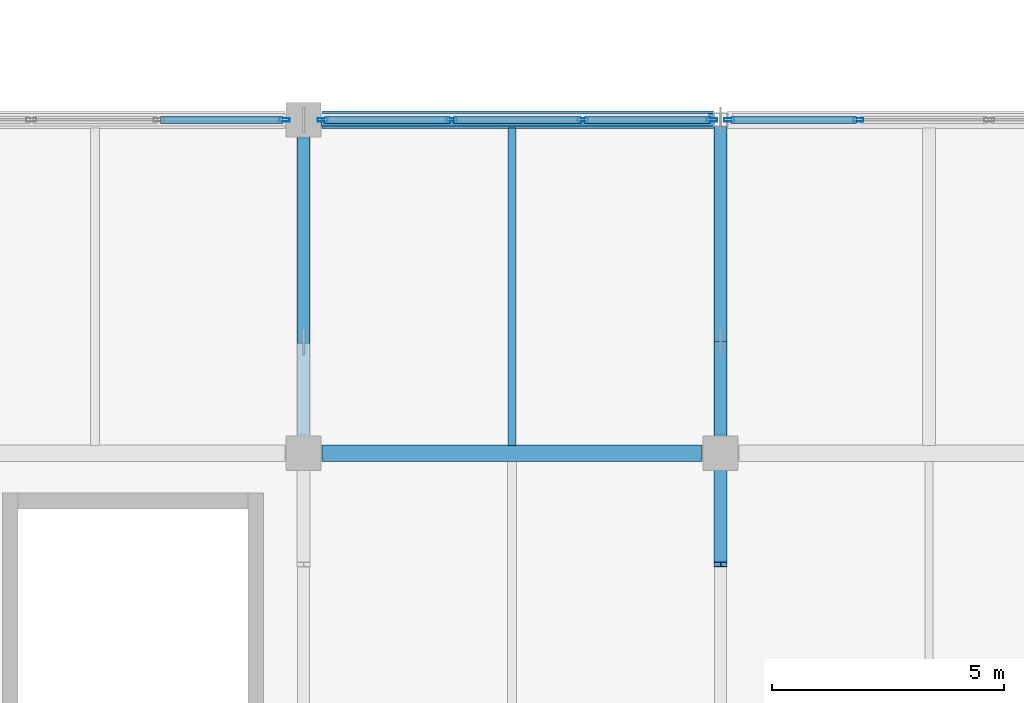
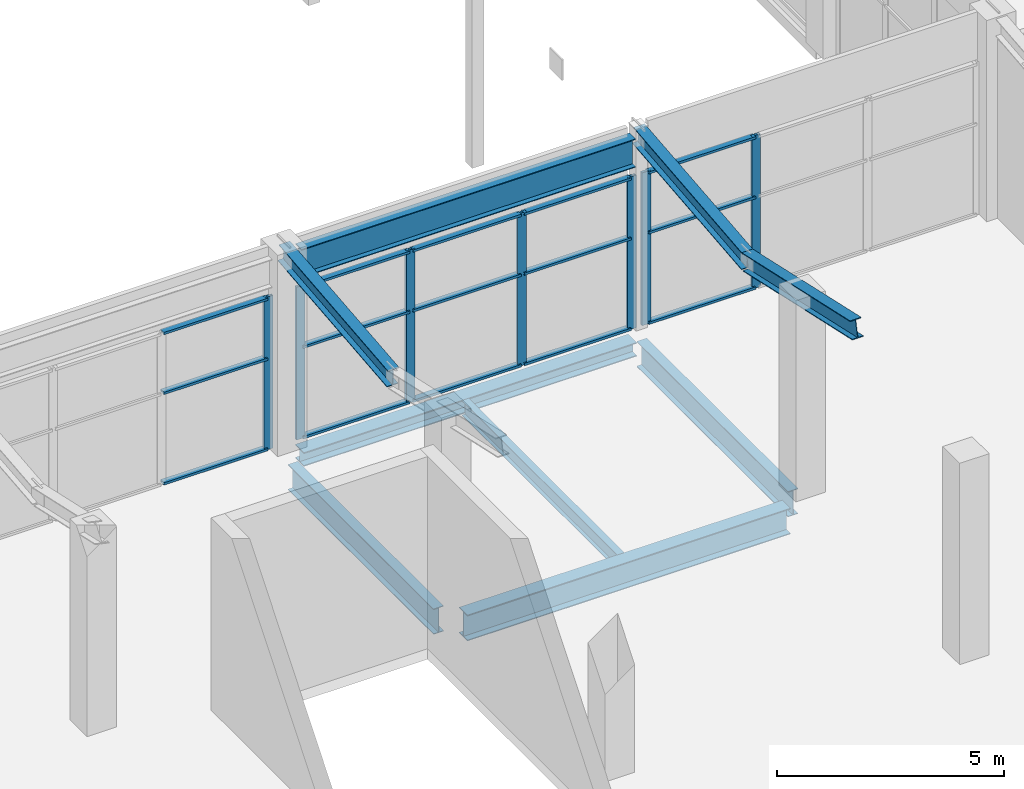
# One storey, part 88 of 189: 25 members, 6 beams, 3 elements without a shape of their own.
"""IFC4 building model written with IfcOpenShell, lengths in metres."""

from ifc_helpers import new_model, si_unit, direction, frame, origin, origin_2d, place, context, subcontext, project, spatial, hollow_rectangle, i_section, extrude, material, layer, layer_set, material_profile, profile_set, type_object, element, aggregate, save


model = new_model("IFC4")

# Units and contexts
model_context = context("Model", 3, precision=1e-05, world=origin(), true_north=direction((0.0, 1.0)))
body_context = subcontext(model_context, "Body", "Model", "MODEL_VIEW")
ifc_project = project(units=[si_unit("LENGTHUNIT", "METRE"), si_unit("AREAUNIT", "SQUARE_METRE"), si_unit("VOLUMEUNIT", "CUBIC_METRE"), si_unit("PLANEANGLEUNIT", "RADIAN"), si_unit("MASSUNIT", "GRAM", prefix="KILO")], contexts=[model_context])

# Site, building, storey
site_placement = place(None, origin())
site = spatial("IfcSite", under=ifc_project, at=site_placement, CompositionType="ELEMENT")
building_placement = place(site_placement, origin())
building = spatial("IfcBuilding", under=site, at=building_placement, Name="Celestram Park Convention Centre", CompositionType="ELEMENT")
storey_placement = place(building_placement, frame((0.0, 0.0, 5.39990234375)))
storey = spatial("IfcBuildingStorey", under=building, at=storey_placement, Name="L01", CompositionType="ELEMENT", Elevation=5.39990234375)

# Curtain wall, member
ifc_material_1 = material(Name="Anodised Aluminium Alloy 6063-T6", Category="aluminium")
ifc_layer_1 = layer(ifc_material_1, 0.179931640625)
ifc_layer_set_1 = layer_set([ifc_layer_1], Name="Anodised Aluminium Alloy 6063-T6")
curtain_wall_type_1 = type_object("IfcCurtainWallType", Name="ARC-CW-825X410", PredefinedType="NOTDEFINED", material=ifc_layer_set_1)
curtain_wall_1_placement = place(storey_placement, origin())
curtain_wall_1 = element("IfcCurtainWall", 1, at=curtain_wall_1_placement, inside=storey, type_object=curtain_wall_type_1, Name="Unitised curtain wall CU-L01-048", PredefinedType="NOTDEFINED")
ifc_material_profile_1 = material_profile(ifc_material_1, hollow_rectangle(XDim=0.074951171875, YDim=0.219970703125, WallThickness=0.00390625, at=origin_2d()), Name="ALU75X220X4")
ifc_profile_set_1 = profile_set([ifc_material_profile_1], Name="Anodised Aluminium Alloy 6063-T6")
member_type_1 = type_object("IfcMemberType", Name="ARC-CWM-180", PredefinedType="MULLION", material=ifc_profile_set_1)
member_1_placement = place(storey_placement, frame((17.589599609375, 136.800048828125, 0.0), z_axis=(0.0, 0.0, 1.0), x_axis=(0.0, 1.0, 0.0)))
member_1 = element("IfcMember", 2, at=member_1_placement, type_object=member_type_1, Name="CW-82X41 mullion 4", PredefinedType="MULLION", context=body_context, shape_type="SweptSolid", body=[
    extrude(hollow_rectangle(XDim=0.074951171875, YDim=0.219970703125, WallThickness=0.00390625, at=origin_2d()), origin(), (0.0, 0.0, 1.0), 4.10009765625),
])

# Curtain wall, members
ifc_layer_2 = layer(ifc_material_1, 0.179931640625)
ifc_layer_set_2 = layer_set([ifc_layer_2], Name="Anodised Aluminium Alloy 6063-T6")
curtain_wall_type_2 = type_object("IfcCurtainWallType", Name="ARC-CW-848X410", PredefinedType="NOTDEFINED", material=ifc_layer_set_2)
curtain_wall_2_placement = place(storey_placement, origin())
curtain_wall_2 = element("IfcCurtainWall", 3, at=curtain_wall_2_placement, inside=storey, type_object=curtain_wall_type_2, Name="Unitised curtain wall CU-L01-049", PredefinedType="NOTDEFINED")
member_2_placement = place(storey_placement, frame((18.410400390625, 136.800048828125, 0.0), z_axis=(0.0, 0.0, 1.0), x_axis=(0.0, 1.0, 0.0)))
member_2 = element("IfcMember", 4, at=member_2_placement, type_object=member_type_1, Name="CW-84X41 mullion 1", PredefinedType="MULLION", context=body_context, shape_type="SweptSolid", body=[
    extrude(hollow_rectangle(XDim=0.074951171875, YDim=0.219970703125, WallThickness=0.00390625, at=origin_2d()), origin(), (0.0, 0.0, 1.0), 4.10009765625),
])
member_3_placement = place(storey_placement, frame((21.19921875, 136.800048828125, 0.0), z_axis=(0.0, 0.0, 1.0), x_axis=(0.0, 1.0, 0.0)))
member_3 = element("IfcMember", 5, at=member_3_placement, type_object=member_type_1, Name="CW-84X41 mullion 2", PredefinedType="MULLION", context=body_context, shape_type="SweptSolid", body=[
    extrude(hollow_rectangle(XDim=0.074951171875, YDim=0.219970703125, WallThickness=0.00390625, at=origin_2d()), origin(), (0.0, 0.0, 1.0), 4.10009765625),
])
member_4_placement = place(storey_placement, frame((24.025634765625, 136.800048828125, 0.0), z_axis=(0.0, 0.0, 1.0), x_axis=(0.0, 1.0, 0.0)))
member_4 = element("IfcMember", 6, at=member_4_placement, type_object=member_type_1, Name="CW-84X41 mullion 3", PredefinedType="MULLION", context=body_context, shape_type="SweptSolid", body=[
    extrude(hollow_rectangle(XDim=0.074951171875, YDim=0.219970703125, WallThickness=0.00390625, at=origin_2d()), origin(), (0.0, 0.0, 1.0), 4.10009765625),
])
member_5_placement = place(storey_placement, frame((26.814453125, 136.800048828125, 0.0), z_axis=(0.0, 0.0, 1.0), x_axis=(0.0, 1.0, 0.0)))
member_5 = element("IfcMember", 7, at=member_5_placement, type_object=member_type_1, Name="CW-84X41 mullion 4", PredefinedType="MULLION", context=body_context, shape_type="SweptSolid", body=[
    extrude(hollow_rectangle(XDim=0.074951171875, YDim=0.219970703125, WallThickness=0.00390625, at=origin_2d()), origin(), (0.0, 0.0, 1.0), 4.10009765625),
])

curtain_wall_3_placement = place(storey_placement, origin())
curtain_wall_3 = element("IfcCurtainWall", 8, at=curtain_wall_3_placement, inside=storey, type_object=curtain_wall_type_2, Name="Unitised curtain wall CU-L01-050", PredefinedType="NOTDEFINED")
member_6_placement = place(storey_placement, frame((27.185546875, 136.800048828125, 0.0), z_axis=(0.0, 0.0, 1.0), x_axis=(0.0, 1.0, 0.0)))
member_6 = element("IfcMember", 9, at=member_6_placement, type_object=member_type_1, Name="CW-84X41 mullion 1", PredefinedType="MULLION", context=body_context, shape_type="SweptSolid", body=[
    extrude(hollow_rectangle(XDim=0.074951171875, YDim=0.219970703125, WallThickness=0.00390625, at=origin_2d()), origin(), (0.0, 0.0, 1.0), 4.10009765625),
])
member_7_placement = place(storey_placement, frame((29.974365234375, 136.800048828125, 0.0), z_axis=(0.0, 0.0, 1.0), x_axis=(0.0, 1.0, 0.0)))
member_7 = element("IfcMember", 10, at=member_7_placement, type_object=member_type_1, Name="CW-84X41 mullion 2", PredefinedType="MULLION", context=body_context, shape_type="SweptSolid", body=[
    extrude(hollow_rectangle(XDim=0.074951171875, YDim=0.219970703125, WallThickness=0.00390625, at=origin_2d()), origin(), (0.0, 0.0, 1.0), 4.10009765625),
])

# Member
ifc_material_profile_2 = material_profile(ifc_material_1, hollow_rectangle(XDim=0.14990234375, YDim=0.06494140625, WallThickness=0.0029296875, at=origin_2d()), Name="ALU150X65X3")
ifc_profile_set_2 = profile_set([ifc_material_profile_2], Name="Anodised Aluminium Alloy 6063-T6")
member_type_2 = type_object("IfcMemberType", Name="ARC-CWT-150", PredefinedType="USERDEFINED", material=ifc_profile_set_2)
member_8_placement = place(storey_placement, frame((14.9130859375, 136.800048828125, 0.03271484375), z_axis=(1.0, 0.0, 0.0), x_axis=(0.0, 1.0, 0.0)))
member_8 = element("IfcMember", 11, at=member_8_placement, type_object=member_type_2, Name="CW-82X41 transom 3.1", ObjectType="TRANSOM", PredefinedType="USERDEFINED", context=body_context, shape_type="SweptSolid", body=[
    extrude(hollow_rectangle(XDim=0.14990234375, YDim=0.06494140625, WallThickness=0.0029296875, at=origin_2d()), origin(), (0.0, 0.0, 1.0), 2.638916015625),
])

member_9_placement = place(storey_placement, frame((14.9130859375, 136.800048828125, 2.460205078125), z_axis=(1.0, 0.0, 0.0), x_axis=(0.0, 1.0, 0.0)))
member_9 = element("IfcMember", 12, at=member_9_placement, type_object=member_type_2, Name="CW-82X41 transom 3.2", ObjectType="TRANSOM", PredefinedType="USERDEFINED", context=body_context, shape_type="SweptSolid", body=[
    extrude(hollow_rectangle(XDim=0.14990234375, YDim=0.06494140625, WallThickness=0.0029296875, at=origin_2d()), origin(), (0.0, 0.0, 1.0), 2.638916015625),
])

member_10_placement = place(storey_placement, frame((14.9130859375, 136.800048828125, 4.067626953125), z_axis=(1.0, 0.0, 0.0), x_axis=(0.0, 1.0, 0.0)))
member_10 = element("IfcMember", 13, at=member_10_placement, type_object=member_type_2, Name="CW-82X41 transom 3.3", ObjectType="TRANSOM", PredefinedType="USERDEFINED", context=body_context, shape_type="SweptSolid", body=[
    extrude(hollow_rectangle(XDim=0.14990234375, YDim=0.06494140625, WallThickness=0.0029296875, at=origin_2d()), origin(), (0.0, 0.0, 1.0), 2.638916015625),
])

aggregate(curtain_wall_1, [member_1, member_8, member_9, member_10])

member_11_placement = place(storey_placement, frame((18.447998046875, 136.800048828125, 0.03271484375), z_axis=(1.0, 0.0, 0.0), x_axis=(0.0, 1.0, 0.0)))
member_11 = element("IfcMember", 14, at=member_11_placement, type_object=member_type_2, Name="CW-84X41 transom 1.1", ObjectType="TRANSOM", PredefinedType="USERDEFINED", context=body_context, shape_type="SweptSolid", body=[
    extrude(hollow_rectangle(XDim=0.14990234375, YDim=0.06494140625, WallThickness=0.0029296875, at=origin_2d()), origin(), (0.0, 0.0, 1.0), 2.7138671875),
])

member_12_placement = place(storey_placement, frame((18.447998046875, 136.800048828125, 2.460205078125), z_axis=(1.0, 0.0, 0.0), x_axis=(0.0, 1.0, 0.0)))
member_12 = element("IfcMember", 15, at=member_12_placement, type_object=member_type_2, Name="CW-84X41 transom 1.2", ObjectType="TRANSOM", PredefinedType="USERDEFINED", context=body_context, shape_type="SweptSolid", body=[
    extrude(hollow_rectangle(XDim=0.14990234375, YDim=0.06494140625, WallThickness=0.0029296875, at=origin_2d()), origin(), (0.0, 0.0, 1.0), 2.7138671875),
])

member_13_placement = place(storey_placement, frame((18.447998046875, 136.800048828125, 4.067626953125), z_axis=(1.0, 0.0, 0.0), x_axis=(0.0, 1.0, 0.0)))
member_13 = element("IfcMember", 16, at=member_13_placement, type_object=member_type_2, Name="CW-84X41 transom 1.3", ObjectType="TRANSOM", PredefinedType="USERDEFINED", context=body_context, shape_type="SweptSolid", body=[
    extrude(hollow_rectangle(XDim=0.14990234375, YDim=0.06494140625, WallThickness=0.0029296875, at=origin_2d()), origin(), (0.0, 0.0, 1.0), 2.7138671875),
])

member_14_placement = place(storey_placement, frame((21.23681640625, 136.800048828125, 0.03271484375), z_axis=(1.0, 0.0, 0.0), x_axis=(0.0, 1.0, 0.0)))
member_14 = element("IfcMember", 17, at=member_14_placement, type_object=member_type_2, Name="CW-84X41 transom 2.1", ObjectType="TRANSOM", PredefinedType="USERDEFINED", context=body_context, shape_type="SweptSolid", body=[
    extrude(hollow_rectangle(XDim=0.14990234375, YDim=0.06494140625, WallThickness=0.0029296875, at=origin_2d()), origin(), (0.0, 0.0, 1.0), 2.75146484375),
])

member_15_placement = place(storey_placement, frame((21.23681640625, 136.800048828125, 2.460205078125), z_axis=(1.0, 0.0, 0.0), x_axis=(0.0, 1.0, 0.0)))
member_15 = element("IfcMember", 18, at=member_15_placement, type_object=member_type_2, Name="CW-84X41 transom 2.2", ObjectType="TRANSOM", PredefinedType="USERDEFINED", context=body_context, shape_type="SweptSolid", body=[
    extrude(hollow_rectangle(XDim=0.14990234375, YDim=0.06494140625, WallThickness=0.0029296875, at=origin_2d()), origin(), (0.0, 0.0, 1.0), 2.75146484375),
])

member_16_placement = place(storey_placement, frame((21.23681640625, 136.800048828125, 4.067626953125), z_axis=(1.0, 0.0, 0.0), x_axis=(0.0, 1.0, 0.0)))
member_16 = element("IfcMember", 19, at=member_16_placement, type_object=member_type_2, Name="CW-84X41 transom 2.3", ObjectType="TRANSOM", PredefinedType="USERDEFINED", context=body_context, shape_type="SweptSolid", body=[
    extrude(hollow_rectangle(XDim=0.14990234375, YDim=0.06494140625, WallThickness=0.0029296875, at=origin_2d()), origin(), (0.0, 0.0, 1.0), 2.75146484375),
])

member_17_placement = place(storey_placement, frame((24.063232421875, 136.800048828125, 0.03271484375), z_axis=(1.0, 0.0, 0.0), x_axis=(0.0, 1.0, 0.0)))
member_17 = element("IfcMember", 20, at=member_17_placement, type_object=member_type_2, Name="CW-84X41 transom 3.1", ObjectType="TRANSOM", PredefinedType="USERDEFINED", context=body_context, shape_type="SweptSolid", body=[
    extrude(hollow_rectangle(XDim=0.14990234375, YDim=0.06494140625, WallThickness=0.0029296875, at=origin_2d()), origin(), (0.0, 0.0, 1.0), 2.7138671875),
])

member_18_placement = place(storey_placement, frame((24.063232421875, 136.800048828125, 2.460205078125), z_axis=(1.0, 0.0, 0.0), x_axis=(0.0, 1.0, 0.0)))
member_18 = element("IfcMember", 21, at=member_18_placement, type_object=member_type_2, Name="CW-84X41 transom 3.2", ObjectType="TRANSOM", PredefinedType="USERDEFINED", context=body_context, shape_type="SweptSolid", body=[
    extrude(hollow_rectangle(XDim=0.14990234375, YDim=0.06494140625, WallThickness=0.0029296875, at=origin_2d()), origin(), (0.0, 0.0, 1.0), 2.7138671875),
])

member_19_placement = place(storey_placement, frame((24.063232421875, 136.800048828125, 4.067626953125), z_axis=(1.0, 0.0, 0.0), x_axis=(0.0, 1.0, 0.0)))
member_19 = element("IfcMember", 22, at=member_19_placement, type_object=member_type_2, Name="CW-84X41 transom 3.3", ObjectType="TRANSOM", PredefinedType="USERDEFINED", context=body_context, shape_type="SweptSolid", body=[
    extrude(hollow_rectangle(XDim=0.14990234375, YDim=0.06494140625, WallThickness=0.0029296875, at=origin_2d()), origin(), (0.0, 0.0, 1.0), 2.7138671875),
])

aggregate(curtain_wall_2, [member_2, member_3, member_4, member_5, member_11, member_12, member_13, member_14, member_15, member_16, member_17, member_18, member_19])

member_20_placement = place(storey_placement, frame((27.222900390625, 136.800048828125, 0.03271484375), z_axis=(1.0, 0.0, 0.0), x_axis=(0.0, 1.0, 0.0)))
member_20 = element("IfcMember", 23, at=member_20_placement, type_object=member_type_2, Name="CW-84X41 transom 1.1", ObjectType="TRANSOM", PredefinedType="USERDEFINED", context=body_context, shape_type="SweptSolid", body=[
    extrude(hollow_rectangle(XDim=0.14990234375, YDim=0.06494140625, WallThickness=0.0029296875, at=origin_2d()), origin(), (0.0, 0.0, 1.0), 2.7138671875),
])

member_21_placement = place(storey_placement, frame((27.222900390625, 136.800048828125, 2.460205078125), z_axis=(1.0, 0.0, 0.0), x_axis=(0.0, 1.0, 0.0)))
member_21 = element("IfcMember", 24, at=member_21_placement, type_object=member_type_2, Name="CW-84X41 transom 1.2", ObjectType="TRANSOM", PredefinedType="USERDEFINED", context=body_context, shape_type="SweptSolid", body=[
    extrude(hollow_rectangle(XDim=0.14990234375, YDim=0.06494140625, WallThickness=0.0029296875, at=origin_2d()), origin(), (0.0, 0.0, 1.0), 2.7138671875),
])

member_22_placement = place(storey_placement, frame((27.222900390625, 136.800048828125, 4.067626953125), z_axis=(1.0, 0.0, 0.0), x_axis=(0.0, 1.0, 0.0)))
member_22 = element("IfcMember", 25, at=member_22_placement, type_object=member_type_2, Name="CW-84X41 transom 1.3", ObjectType="TRANSOM", PredefinedType="USERDEFINED", context=body_context, shape_type="SweptSolid", body=[
    extrude(hollow_rectangle(XDim=0.14990234375, YDim=0.06494140625, WallThickness=0.0029296875, at=origin_2d()), origin(), (0.0, 0.0, 1.0), 2.7138671875),
])

aggregate(curtain_wall_3, [member_6, member_7, member_20, member_21, member_22])

# Beams
ifc_material_2 = material(Name="Steel ASTM A992 Grade 50", Category="steel")
ifc_material_profile_3 = material_profile(ifc_material_2, i_section(OverallWidth=0.35595703125, OverallDepth=0.696044921875, WebThickness=0.015380859375, FlangeThickness=0.02490234375, at=origin_2d()), Name="W27X146")
ifc_profile_set_3 = profile_set([ifc_material_profile_3], Name="Steel ASTM A992 Grade 50")
beam_type_1 = type_object("IfcBeamType", Name="STR-BM-W27X146", PredefinedType="BEAM", material=ifc_profile_set_3)
beam_1_placement = place(storey_placement, frame((18.39794921875, 129.60009765625, -0.6279296875), z_axis=(1.0, 0.0, 0.0), x_axis=(0.0, 1.0, 0.0)))
element("IfcBeam", 26, at=beam_1_placement, inside=storey, type_object=beam_type_1, Name="Primary X-girder BG-L01-0024", PredefinedType="BEAM", context=body_context, shape_type="SweptSolid", body=[
    extrude(i_section(OverallWidth=0.35595703125, OverallDepth=0.696044921875, WebThickness=0.015380859375, FlangeThickness=0.02490234375, at=origin_2d()), origin(), (0.0, 0.0, 1.0), 8.2041015625),
])
ifc_material_profile_4 = material_profile(ifc_material_2, i_section(OverallWidth=0.25390625, OverallDepth=0.68310546875, WebThickness=0.012451171875, FlangeThickness=0.01904296875, at=origin_2d()), Name="W27X94")
ifc_profile_set_4 = profile_set([ifc_material_profile_4], Name="Steel ASTM A992 Grade 50")
beam_type_2 = type_object("IfcBeamType", Name="STR-BM-W27X94", PredefinedType="BEAM", material=ifc_profile_set_4)
beam_2_placement = place(storey_placement, frame((18.0, 129.998046875, -0.621337890625), z_axis=(0.0, 1.0, 0.0), x_axis=(-1.0, 0.0, 0.0)))
element("IfcBeam", 27, at=beam_2_placement, inside=storey, type_object=beam_type_2, Name="Primary Y-girder BG-L01-0025", PredefinedType="BEAM", context=body_context, shape_type="SweptSolid", body=[
    extrude(i_section(OverallWidth=0.25390625, OverallDepth=0.68310546875, WebThickness=0.012451171875, FlangeThickness=0.01904296875, at=origin_2d()), origin(), (0.0, 0.0, 1.0), 6.404052734375),
])
beam_3_placement = place(storey_placement, frame((27.0, 129.998046875, -0.621337890625), z_axis=(0.0, 1.0, 0.0), x_axis=(-1.0, 0.0, 0.0)))
element("IfcBeam", 28, at=beam_3_placement, inside=storey, type_object=beam_type_2, Name="Primary Y-girder BG-L01-0034", PredefinedType="BEAM", context=body_context, shape_type="SweptSolid", body=[
    extrude(i_section(OverallWidth=0.25390625, OverallDepth=0.68310546875, WebThickness=0.012451171875, FlangeThickness=0.01904296875, at=origin_2d()), origin(), (0.0, 0.0, 1.0), 6.654052734375),
])
ifc_material_profile_5 = material_profile(ifc_material_2, i_section(OverallWidth=0.26708984375, OverallDepth=0.761962890625, WebThickness=0.014404296875, FlangeThickness=0.021484375, at=origin_2d()), Name="W30X116")
ifc_profile_set_5 = profile_set([ifc_material_profile_5], Name="Steel ASTM A992 Grade 50")
beam_type_3 = type_object("IfcBeamType", Name="STR-BM-W30X116", PredefinedType="BEAM", material=ifc_profile_set_5)
beam_4_placement = place(storey_placement, frame((18.373046875, 136.800048828125, 4.76904296875), z_axis=(1.0, 0.0, 0.0), x_axis=(0.0, 1.0, 0.0)))
element("IfcBeam", 29, at=beam_4_placement, inside=storey, type_object=beam_type_3, Name="West pavilion eaves girder BG-L01-0618", PredefinedType="BEAM", context=body_context, shape_type="SweptSolid", body=[
    extrude(i_section(OverallWidth=0.26708984375, OverallDepth=0.761962890625, WebThickness=0.014404296875, FlangeThickness=0.021484375, at=origin_2d()), origin(), (0.0, 0.0, 1.0), 8.47900390625),
])

# Members
ifc_material_profile_6 = material_profile(ifc_material_2, i_section(OverallWidth=0.281982421875, OverallDepth=0.467041015625, WebThickness=0.01220703125, FlangeThickness=0.01953125, at=origin_2d()), Name="W18X86")
ifc_profile_set_6 = profile_set([ifc_material_profile_6], Name="Steel ASTM A992 Grade 50")
member_type_3 = type_object("IfcMemberType", Name="STR-CHD-W18X86", PredefinedType="CHORD", material=ifc_profile_set_6)
member_23_placement = place(storey_placement, frame((18.0, 132.0, 4.680908203125), z_axis=(0.0, 0.994972344387, 0.100150056942), x_axis=(-1.0, 0.0, 0.0)))
element("IfcMember", 30, at=member_23_placement, inside=storey, type_object=member_type_3, Name="WPV arch bottom chord", PredefinedType="CHORD", context=body_context, shape_type="SweptSolid", body=[
    extrude(i_section(OverallWidth=0.281982421875, OverallDepth=0.467041015625, WebThickness=0.01220703125, FlangeThickness=0.01953125, at=origin_2d()), origin(), (0.0, 0.0, 1.0), 4.82421875),
])
member_24_placement = place(storey_placement, frame((27.0, 127.199951171875, 5.747314453125), z_axis=(0.0, 0.976198741481, -0.216877885295), x_axis=(-1.0, 0.0, 0.0)))
element("IfcMember", 31, at=member_24_placement, inside=storey, type_object=member_type_3, Name="WPV arch bottom chord", PredefinedType="CHORD", context=body_context, shape_type="SweptSolid", body=[
    extrude(i_section(OverallWidth=0.281982421875, OverallDepth=0.467041015625, WebThickness=0.01220703125, FlangeThickness=0.01953125, at=origin_2d()), origin(), (0.0, 0.0, 1.0), 4.9169921875),
])
member_25_placement = place(storey_placement, frame((27.0, 132.0, 4.680908203125), z_axis=(0.0, 0.994972344387, 0.100150056942), x_axis=(-1.0, 0.0, 0.0)))
element("IfcMember", 32, at=member_25_placement, inside=storey, type_object=member_type_3, Name="WPV arch bottom chord", PredefinedType="CHORD", context=body_context, shape_type="SweptSolid", body=[
    extrude(i_section(OverallWidth=0.281982421875, OverallDepth=0.467041015625, WebThickness=0.01220703125, FlangeThickness=0.01953125, at=origin_2d()), origin(), (0.0, 0.0, 1.0), 4.82421875),
])

# Beams
ifc_material_profile_7 = material_profile(ifc_material_2, i_section(OverallWidth=0.177978515625, OverallDepth=0.406005859375, WebThickness=0.0078125, FlangeThickness=0.0126953125, at=origin_2d()), Name="W16X40")
ifc_profile_set_7 = profile_set([ifc_material_profile_7], Name="Steel ASTM A992 Grade 50")
beam_type_4 = type_object("IfcBeamType", Name="STR-JST-W16X40", PredefinedType="JOIST", material=ifc_profile_set_7)
beam_5_placement = place(storey_placement, frame((22.5, 129.77392578125, -0.48291015625), z_axis=(0.0, 1.0, 0.0), x_axis=(-1.0, 0.0, 0.0)))
element("IfcBeam", 33, at=beam_5_placement, inside=storey, type_object=beam_type_4, Name="Secondary composite joist BG-L01-0554", PredefinedType="JOIST", context=body_context, shape_type="SweptSolid", body=[
    extrude(i_section(OverallWidth=0.177978515625, OverallDepth=0.406005859375, WebThickness=0.0078125, FlangeThickness=0.0126953125, at=origin_2d()), origin(), (0.0, 0.0, 1.0), 6.843994140625),
])
ifc_material_profile_8 = material_profile(ifc_material_2, i_section(OverallWidth=0.373046875, OverallDepth=0.373046875, WebThickness=0.016357421875, FlangeThickness=0.026123046875, at=origin_2d()), Name="W14X132")
ifc_profile_set_8 = profile_set([ifc_material_profile_8], Name="Steel ASTM A992 Grade 50")
beam_type_5 = type_object("IfcBeamType", Name="STR-SPN-W14X132", PredefinedType="SPANDREL", material=ifc_profile_set_8)
beam_6_placement = place(storey_placement, frame((18.39794921875, 136.800048828125, -0.46630859375), z_axis=(1.0, 0.0, 0.0), x_axis=(0.0, 1.0, 0.0)))
element("IfcBeam", 34, at=beam_6_placement, inside=storey, type_object=beam_type_5, Name="Primary X-girder BG-L01-0026", PredefinedType="SPANDREL", context=body_context, shape_type="SweptSolid", body=[
    extrude(i_section(OverallWidth=0.373046875, OverallDepth=0.373046875, WebThickness=0.016357421875, FlangeThickness=0.026123046875, at=origin_2d()), origin(), (0.0, 0.0, 1.0), 8.4541015625),
])

save(model, "model.ifc")
